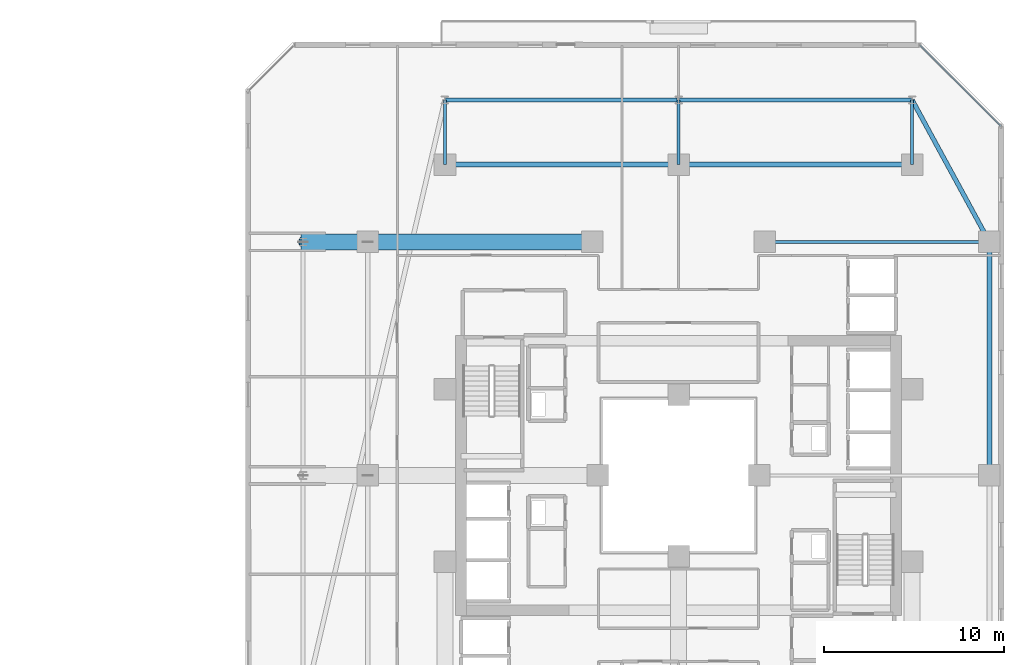
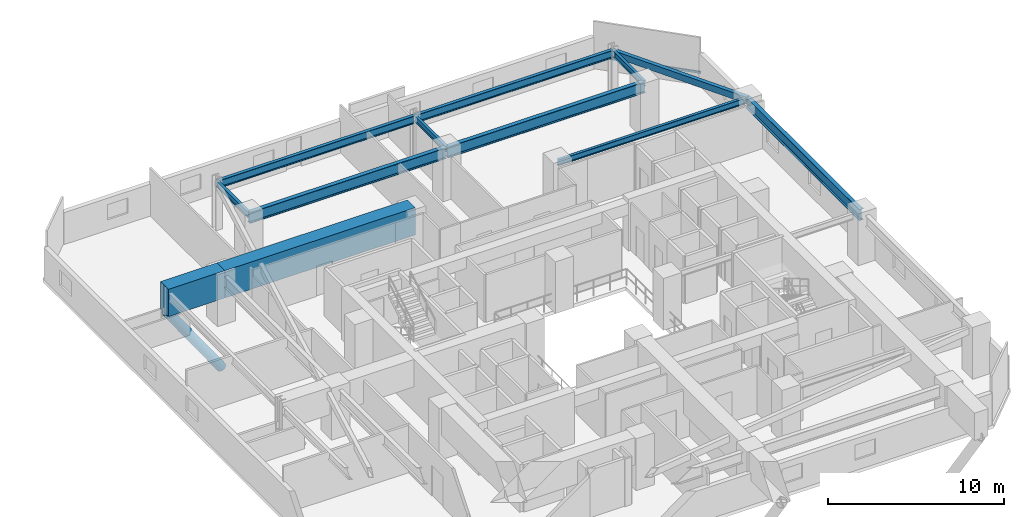
# One storey, part 14 of 36: 12 beams, 2 members, 1 element without a shape of its own.
"""IFC4 building model written with IfcOpenShell, lengths in metres."""

from ifc_helpers import new_model, si_unit, direction, frame, origin, origin_2d, place, context, subcontext, project, spatial, rectangle, hollow_rectangle, hollow_circle, i_section, extrude, material, material_profile, profile_set, type_object, element, aggregate, save


model = new_model("IFC4")

# Units and contexts
model_context = context("Model", 3, precision=1e-05, world=origin(), true_north=direction((0.0, 1.0)))
body_context = subcontext(model_context, "Body", "Model", "MODEL_VIEW")
ifc_project = project(units=[si_unit("LENGTHUNIT", "METRE"), si_unit("AREAUNIT", "SQUARE_METRE"), si_unit("VOLUMEUNIT", "CUBIC_METRE"), si_unit("PLANEANGLEUNIT", "RADIAN"), si_unit("MASSUNIT", "GRAM", prefix="KILO")], contexts=[model_context])

# Site, building, storey
site_placement = place(None, origin())
site = spatial("IfcSite", under=ifc_project, at=site_placement, CompositionType="ELEMENT")
building_placement = place(site_placement, origin())
building = spatial("IfcBuilding", under=site, at=building_placement, Name="Thornwick Lancets Civic Towers", CompositionType="ELEMENT")
storey_placement = place(building_placement, frame((0.0, 0.0, 94.5)))
storey = spatial("IfcBuildingStorey", under=building, at=storey_placement, Name="L24", CompositionType="ELEMENT", Elevation=94.5)

# Beams
ifc_material_1 = material(Name="Steel S355JR", Category="steel")
ifc_material_profile_1 = material_profile(ifc_material_1, i_section(OverallWidth=0.2119140625, OverallDepth=0.54443359375, WebThickness=0.0126953125, FlangeThickness=0.021240234375, FilletRadius=0.0126953125, at=origin_2d()), Name="UKB 533x210x122")
ifc_profile_set_1 = profile_set([ifc_material_profile_1], Name="Steel S355JR")
beam_type_1 = type_object("IfcBeamType", Name="BM_EDGE_533_122", PredefinedType="SPANDREL", material=ifc_profile_set_1)
beam_1_placement = place(storey_placement, frame((101.5, 47.89990234375, 3.047607421875), z_axis=(-1.0, 0.0, 0.0), x_axis=(0.0, -1.0, 0.0)))
element("IfcBeam", 1, at=beam_1_placement, inside=storey, type_object=beam_type_1, Name="BM-EDGE-L24-B-S1-1", PredefinedType="SPANDREL", context=body_context, shape_type="SweptSolid", body=[
    extrude(i_section(OverallWidth=0.2119140625, OverallDepth=0.54443359375, WebThickness=0.0126953125, FlangeThickness=0.021240234375, FilletRadius=0.0126953125, at=origin_2d()), origin(), (0.0, 0.0, 1.0), 13.0),
])
beam_2_placement = place(storey_placement, frame((88.419921875, 47.89990234375, 3.047607421875), z_axis=(-1.0, 0.0, 0.0), x_axis=(0.0, -1.0, 0.0)))
element("IfcBeam", 2, at=beam_2_placement, inside=storey, type_object=beam_type_1, Name="BM-EDGE-L24-B-S1-2", PredefinedType="SPANDREL", context=body_context, shape_type="SweptSolid", body=[
    extrude(i_section(OverallWidth=0.2119140625, OverallDepth=0.54443359375, WebThickness=0.0126953125, FlangeThickness=0.021240234375, FilletRadius=0.0126953125, at=origin_2d()), origin(), (0.0, 0.0, 1.0), 12.919921875),
])
ifc_material_profile_2 = material_profile(ifc_material_1, i_section(OverallWidth=0.26806640625, OverallDepth=0.769775390625, WebThickness=0.015625, FlangeThickness=0.025390625, FilletRadius=0.0166015625, at=origin_2d()), Name="UKB 762x267x197")
ifc_profile_set_2 = profile_set([ifc_material_profile_2], Name="Steel S355JR")
beam_type_2 = type_object("IfcBeamType", Name="BM_GIRD_762_197", PredefinedType="BEAM", material=ifc_profile_set_2)
beam_3_placement = place(storey_placement, frame((105.800048828125, 27.080078125, 2.93505859375), z_axis=(0.0, 1.0, 0.0), x_axis=(-1.0, 0.0, 0.0)))
element("IfcBeam", 3, at=beam_3_placement, inside=storey, type_object=beam_type_2, Name="BM-SPINE-L24-B-1-2", PredefinedType="BEAM", context=body_context, shape_type="SweptSolid", body=[
    extrude(i_section(OverallWidth=0.26806640625, OverallDepth=0.769775390625, WebThickness=0.015625, FlangeThickness=0.025390625, FilletRadius=0.0166015625, at=origin_2d()), origin(), (0.0, 0.0, 1.0), 12.919921875),
])
beam_4_placement = place(storey_placement, frame((101.5, 44.300048828125, 2.93505859375), z_axis=(-1.0, 0.0, 0.0), x_axis=(0.0, -1.0, 0.0)))
element("IfcBeam", 4, at=beam_4_placement, inside=storey, type_object=beam_type_2, Name="BM-SPINE-L24-B-3-4", PredefinedType="BEAM", context=body_context, shape_type="SweptSolid", body=[
    extrude(i_section(OverallWidth=0.26806640625, OverallDepth=0.769775390625, WebThickness=0.015625, FlangeThickness=0.025390625, FilletRadius=0.0166015625, at=origin_2d()), origin(), (0.0, 0.0, 1.0), 13.0),
])
beam_5_placement = place(storey_placement, frame((88.419921875, 44.300048828125, 2.93505859375), z_axis=(-1.0, 0.0, 0.0), x_axis=(0.0, -1.0, 0.0)))
element("IfcBeam", 5, at=beam_5_placement, inside=storey, type_object=beam_type_2, Name="BM-SPINE-L24-B-4-5", PredefinedType="BEAM", context=body_context, shape_type="SweptSolid", body=[
    extrude(i_section(OverallWidth=0.26806640625, OverallDepth=0.769775390625, WebThickness=0.015625, FlangeThickness=0.025390625, FilletRadius=0.0166015625, at=origin_2d()), origin(), (0.0, 0.0, 1.0), 12.919921875),
])
ifc_material_profile_3 = material_profile(ifc_material_1, i_section(OverallWidth=0.179443359375, OverallDepth=0.412841796875, WebThickness=0.009521484375, FlangeThickness=0.01611328125, FilletRadius=0.01025390625, at=origin_2d()), Name="UKB 406x178x74")
ifc_profile_set_3 = profile_set([ifc_material_profile_3], Name="Steel S355JR")
beam_type_3 = type_object("IfcBeamType", Name="BM_JOIST_406_74", PredefinedType="JOIST", material=ifc_profile_set_3)
beam_6_placement = place(storey_placement, frame((93.300048828125, 40.0, 3.113525390625), z_axis=(1.0, 0.0, 0.0), x_axis=(0.0, 1.0, 0.0)))
element("IfcBeam", 6, at=beam_6_placement, inside=storey, type_object=beam_type_3, Name="BM-RADIN-L24-B03", PredefinedType="JOIST", context=body_context, shape_type="SweptSolid", body=[
    extrude(i_section(OverallWidth=0.179443359375, OverallDepth=0.412841796875, WebThickness=0.009521484375, FlangeThickness=0.01611328125, FilletRadius=0.01025390625, at=origin_2d()), origin(), (0.0, 0.0, 1.0), 12.5),
])
for number, where, z_axis, x_axis, name in (
    (7, (101.5, 44.300048828125, 3.113525390625), (0.0, 1.0, 0.0), (-1.0, 0.0, 0.0), "BM-RAD-L24-B04"),
    (8, (88.5, 44.300048828125, 3.113525390625), (0.0, 1.0, 0.0), (-1.0, 0.0, 0.0), "BM-RAD-L24-B05"),
    (9, (75.5, 44.300048828125, 3.113525390625), (0.0, 1.0, 0.0), (-1.0, 0.0, 0.0), "BM-RAD-L24-B06"),
):
    element("IfcBeam", number, at=place(storey_placement, frame(where, z_axis=z_axis, x_axis=x_axis)), inside=storey, type_object=beam_type_3, Name=name, PredefinedType="JOIST", context=body_context, shape_type="SweptSolid", body=[
        extrude(i_section(OverallWidth=0.179443359375, OverallDepth=0.412841796875, WebThickness=0.009521484375, FlangeThickness=0.01611328125, FilletRadius=0.01025390625, at=origin_2d()), origin(), (0.0, 0.0, 1.0), 3.599853515625),
    ])
ifc_material_profile_4 = material_profile(ifc_material_1, hollow_rectangle(XDim=0.25, YDim=0.449951171875, WallThickness=0.01611328125, at=origin_2d()), Name="RHS 450x250x16")
ifc_profile_set_4 = profile_set([ifc_material_profile_4], Name="Steel S355JR")
beam_type_4 = type_object("IfcBeamType", Name="BM_RING_RHS450", PredefinedType="BEAM", material=ifc_profile_set_4)
beam_7_placement = place(storey_placement, frame((105.800048828125, 40.0, 3.094970703125), z_axis=(-0.478081722712, 0.878315357038, 0.0), x_axis=(-0.878315357038, -0.478081722712, 0.0)))
element("IfcBeam", 10, at=beam_7_placement, inside=storey, type_object=beam_type_4, Name="BM-CHAMF-L24-B-C0", PredefinedType="BEAM", context=body_context, shape_type="SweptSolid", body=[
    extrude(hollow_rectangle(XDim=0.25, YDim=0.449951171875, WallThickness=0.01611328125, at=origin_2d()), origin(), (0.0, 0.0, 1.0), 8.994384765625),
])
ifc_material_2 = material(Name="Concrete C60/75", Category="concrete")
ifc_material_profile_5 = material_profile(ifc_material_2, rectangle(XDim=0.89990234375, YDim=1.89990234375, at=origin_2d()), Name="RC 900x1900")
ifc_profile_set_5 = profile_set([ifc_material_profile_5], Name="Concrete C60/75")
beam_type_5 = type_object("IfcBeamType", Name="BM_TR_RC1900", PredefinedType="BEAM", material=ifc_profile_set_5)
beam_8_placement = place(storey_placement, frame((83.699951171875, 40.0, 2.64990234375), z_axis=(-1.0, 0.0, 0.0), x_axis=(0.0, -1.0, 0.0)))
element("IfcBeam", 11, at=beam_8_placement, inside=storey, type_object=beam_type_5, Name="TG-BACK-L25-B09", PredefinedType="BEAM", context=body_context, shape_type="SweptSolid", body=[
    extrude(rectangle(XDim=0.89990234375, YDim=1.89990234375, at=origin_2d()), origin(), (0.0, 0.0, 1.0), 12.5),
])
beam_9_placement = place(storey_placement, frame((71.199951171875, 40.0, 2.64990234375), z_axis=(-1.0, 0.0, 0.0), x_axis=(0.0, -1.0, 0.0)))
element("IfcBeam", 12, at=beam_9_placement, inside=storey, type_object=beam_type_5, Name="TG-CANT-L25-B09", PredefinedType="BEAM", context=body_context, shape_type="SweptSolid", body=[
    extrude(rectangle(XDim=0.89990234375, YDim=1.89990234375, at=origin_2d()), origin(), (0.0, 0.0, 1.0), 3.719970703125),
])

# Curtain wall, member
ifc_material_3 = material(Name="Low-zone chamfered-corner unitised glass curtain wall", Category="glass")
curtain_wall_type = type_object("IfcCurtainWallType", Name="CW_SYS_03", PredefinedType="NOTDEFINED", material=ifc_material_3)
curtain_wall_placement = place(storey_placement, origin())
curtain_wall = element("IfcCurtainWall", 13, at=curtain_wall_placement, inside=storey, type_object=curtain_wall_type, Name="L24 Curtain Wall CW-L24-B-E3", PredefinedType="NOTDEFINED")
ifc_material_4 = material(Name="Thermally broken bronze aluminium S355", Category="steel")
ifc_material_profile_6 = material_profile(ifc_material_4, hollow_rectangle(XDim=0.074951171875, YDim=0.14990234375, WallThickness=0.0048828125, at=origin_2d()), Name="RHS 150x75x5")
ifc_profile_set_6 = profile_set([ifc_material_profile_6], Name="Thermally broken bronze aluminium S355")
member_type_1 = type_object("IfcMemberType", Name="CW_TRN_150", PredefinedType="USERDEFINED", material=ifc_profile_set_6)
member_1_placement = place(storey_placement, frame((106.444091796875, 46.439208984375, 0.85009765625), z_axis=(-0.707106781187, 0.707106781187, 0.0), x_axis=(-0.707106781187, -0.707106781187, 0.0)))
member_1 = element("IfcMember", 14, at=member_1_placement, type_object=member_type_1, Name="CW-L24-B-E3 Transom 0", ObjectType="TRANSOM", PredefinedType="USERDEFINED", context=body_context, shape_type="SweptSolid", body=[
    extrude(hollow_rectangle(XDim=0.074951171875, YDim=0.14990234375, WallThickness=0.0048828125, at=origin_2d()), origin(), (0.0, 0.0, 1.0), 6.370849609375),
])
aggregate(curtain_wall, [member_1])

# Member
ifc_material_5 = material(Name="Steel S460M", Category="steel")
ifc_material_profile_7 = material_profile(ifc_material_5, hollow_circle(Radius=0.304931640625, WallThickness=0.030029296875, at=origin_2d()), Name="CHS 610x30")
ifc_profile_set_7 = profile_set([ifc_material_profile_7], Name="Steel S460M")
member_type_2 = type_object("IfcMemberType", Name="MEM_STRUT_CHS610", PredefinedType="STRUT", material=ifc_profile_set_7)
member_2_placement = place(storey_placement, frame((71.199951171875, 40.0, -3.35009765625), z_axis=(-0.574400563042, 0.0, 0.818574366308), x_axis=(0.0, -1.0, 0.0)))
element("IfcMember", 15, at=member_2_placement, inside=storey, type_object=member_type_2, Name="L25 Jenga Transfer Raking Strut B09", PredefinedType="STRUT", context=body_context, shape_type="SweptSolid", body=[
    extrude(hollow_circle(Radius=0.304931640625, WallThickness=0.030029296875, at=origin_2d()), origin(), (0.0, 0.0, 1.0), 6.26708984375),
])

save(model, "model.ifc")
